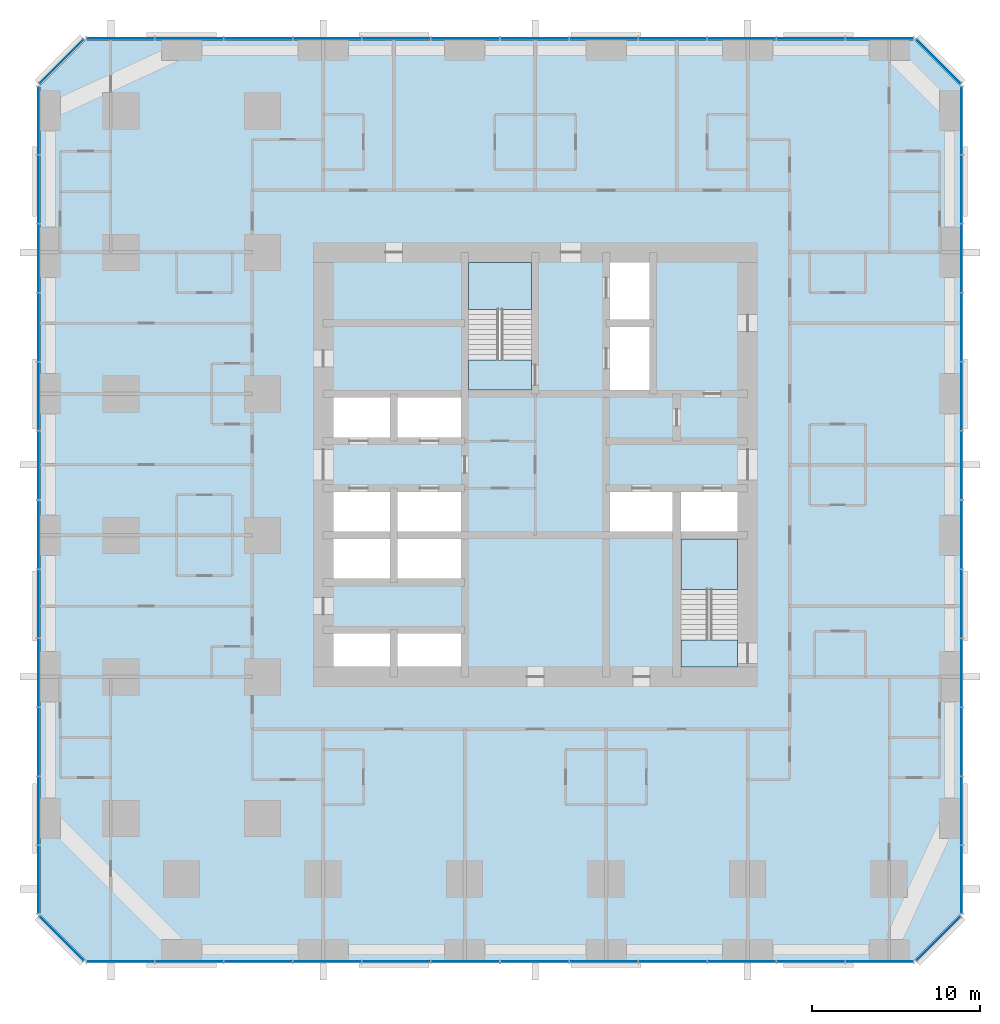
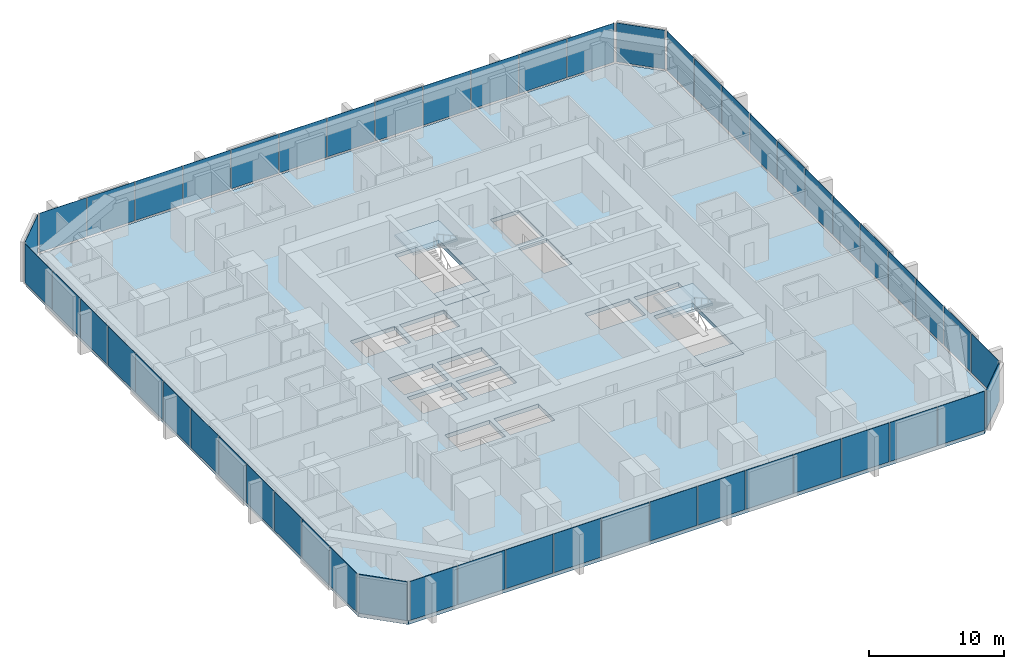
# One storey, part 7 of 13: 52 plates, 5 slabs, 10 elements without a shape of their own.
"""IFC4 building model written with IfcOpenShell, lengths in metres."""

from ifc_helpers import new_model, si_unit, direction, frame, origin, origin_2d, place, context, subcontext, project, spatial, polyline, rectangle, outline, extrude, material, layer, layer_set, type_object, element, aggregate, save


model = new_model("IFC4")

# Units and contexts
model_context = context("Model", 3, precision=1e-05, world=origin(), true_north=direction((0.0, 1.0)))
body_context = subcontext(model_context, "Body", "Model", "MODEL_VIEW")
ifc_project = project(units=[si_unit("LENGTHUNIT", "METRE"), si_unit("AREAUNIT", "SQUARE_METRE"), si_unit("VOLUMEUNIT", "CUBIC_METRE"), si_unit("PLANEANGLEUNIT", "RADIAN"), si_unit("MASSUNIT", "GRAM", prefix="KILO")], contexts=[model_context])

# Site, building, storey
site_placement = place(None, origin())
site = spatial("IfcSite", under=ifc_project, at=site_placement, CompositionType="ELEMENT")
building_placement = place(site_placement, origin())
building = spatial("IfcBuilding", under=site, at=building_placement, Name="Dunama Terrace Hotel", CompositionType="ELEMENT")
storey_placement = place(building_placement, frame((0.0, 0.0, 97.199951171875)))
storey = spatial("IfcBuildingStorey", under=building, at=storey_placement, Name="L24", CompositionType="ELEMENT", Elevation=97.199951171875)

# Curtain wall, plates
ifc_material_1 = material(Name="Aluminium curtain wall system", Category="aluminium")
curtain_wall_type = type_object("IfcCurtainWallType", Name="Unitised fritted glass wall CW-B", PredefinedType="NOTDEFINED", material=ifc_material_1)
curtain_wall_1_placement = place(storey_placement, origin())
curtain_wall_1 = element("IfcCurtainWall", 1, at=curtain_wall_1_placement, inside=storey, type_object=curtain_wall_type, Name="Unitised fritted glass wall CW-B L24", PredefinedType="NOTDEFINED")
ifc_material_2 = material(Name="Laminated glass", Category="glass")
ifc_layer_1 = layer(ifc_material_2, 0.030029296875)
ifc_layer_set_1 = layer_set([ifc_layer_1], Name="CWB clear glass panel")
plate_type_1 = type_object("IfcPlateType", Name="CWB clear glass panel", PredefinedType="CURTAIN_PANEL", material=ifc_layer_set_1)
plate_1_placement = place(storey_placement, frame((12.949951171875, -0.110107421875, 0.080078125), z_axis=(0.0, 0.0, 1.0), x_axis=(1.0, 0.0, 0.0)))
plate_1 = element("IfcPlate", 2, at=plate_1_placement, type_object=plate_type_1, Name="CWB clear glass panel", PredefinedType="CURTAIN_PANEL", context=body_context, shape_type="SweptSolid", body=[
    extrude(rectangle(XDim=4.034912109375, YDim=0.030029296875, at=origin_2d()), origin(), (0.0, 0.0, 1.0), 3.52001953125),
])
plate_2_placement = place(storey_placement, frame((25.25, -0.110107421875, 0.080078125), z_axis=(0.0, 0.0, 1.0), x_axis=(1.0, 0.0, 0.0)))
plate_2 = element("IfcPlate", 3, at=plate_2_placement, type_object=plate_type_1, Name="CWB clear glass panel", PredefinedType="CURTAIN_PANEL", context=body_context, shape_type="SweptSolid", body=[
    extrude(rectangle(XDim=4.034912109375, YDim=0.030029296875, at=origin_2d()), origin(), (0.0, 0.0, 1.0), 3.52001953125),
])
plate_3_placement = place(storey_placement, frame((37.550048828125, -0.110107421875, 0.080078125), z_axis=(0.0, 0.0, 1.0), x_axis=(1.0, 0.0, 0.0)))
plate_3 = element("IfcPlate", 4, at=plate_3_placement, type_object=plate_type_1, Name="CWB clear glass panel", PredefinedType="CURTAIN_PANEL", context=body_context, shape_type="SweptSolid", body=[
    extrude(rectangle(XDim=4.034912109375, YDim=0.030029296875, at=origin_2d()), origin(), (0.0, 0.0, 1.0), 3.52001953125),
])
plate_4_placement = place(storey_placement, frame((49.833984375, -0.110107421875, 0.080078125), z_axis=(0.0, 0.0, 1.0), x_axis=(1.0, 0.0, 0.0)))
plate_4 = element("IfcPlate", 5, at=plate_4_placement, type_object=plate_type_1, Name="CWB clear glass panel", PredefinedType="CURTAIN_PANEL", context=body_context, shape_type="SweptSolid", body=[
    extrude(rectangle(XDim=4.00244140625, YDim=0.030029296875, at=origin_2d()), origin(), (0.0, 0.0, 1.0), 3.52001953125),
])

curtain_wall_2_placement = place(storey_placement, origin())
curtain_wall_2 = element("IfcCurtainWall", 6, at=curtain_wall_2_placement, inside=storey, type_object=curtain_wall_type, Name="Unitised fritted glass wall CW-B L24", PredefinedType="NOTDEFINED")
plate_5_placement = place(storey_placement, frame((54.7099609375, 8.85009765625, 0.080078125), z_axis=(0.0, 0.0, 1.0), x_axis=(0.0, 1.0, 0.0)))
plate_5 = element("IfcPlate", 7, at=plate_5_placement, type_object=plate_type_1, Name="CWB clear glass panel", PredefinedType="CURTAIN_PANEL", context=body_context, shape_type="SweptSolid", body=[
    extrude(rectangle(XDim=4.034912109375, YDim=0.030029296875, at=origin_2d()), origin(), (0.0, 0.0, 1.0), 3.52001953125),
])
plate_6_placement = place(storey_placement, frame((54.7099609375, 21.14990234375, 0.080078125), z_axis=(0.0, 0.0, 1.0), x_axis=(0.0, 1.0, 0.0)))
plate_6 = element("IfcPlate", 8, at=plate_6_placement, type_object=plate_type_1, Name="CWB clear glass panel", PredefinedType="CURTAIN_PANEL", context=body_context, shape_type="SweptSolid", body=[
    extrude(rectangle(XDim=4.034912109375, YDim=0.030029296875, at=origin_2d()), origin(), (0.0, 0.0, 1.0), 3.52001953125),
])
plate_7_placement = place(storey_placement, frame((54.7099609375, 33.449951171875, 0.080078125), z_axis=(0.0, 0.0, 1.0), x_axis=(0.0, 1.0, 0.0)))
plate_7 = element("IfcPlate", 9, at=plate_7_placement, type_object=plate_type_1, Name="CWB clear glass panel", PredefinedType="CURTAIN_PANEL", context=body_context, shape_type="SweptSolid", body=[
    extrude(rectangle(XDim=4.034912109375, YDim=0.030029296875, at=origin_2d()), origin(), (0.0, 0.0, 1.0), 3.52001953125),
])
plate_8_placement = place(storey_placement, frame((54.7099609375, 45.75, 0.080078125), z_axis=(0.0, 0.0, 1.0), x_axis=(0.0, 1.0, 0.0)))
plate_8 = element("IfcPlate", 10, at=plate_8_placement, type_object=plate_type_1, Name="CWB clear glass panel", PredefinedType="CURTAIN_PANEL", context=body_context, shape_type="SweptSolid", body=[
    extrude(rectangle(XDim=4.034912109375, YDim=0.030029296875, at=origin_2d()), origin(), (0.0, 0.0, 1.0), 3.52001953125),
])

curtain_wall_3_placement = place(storey_placement, origin())
curtain_wall_3 = element("IfcCurtainWall", 11, at=curtain_wall_3_placement, inside=storey, type_object=curtain_wall_type, Name="Unitised fritted glass wall CW-B L24", PredefinedType="NOTDEFINED")
plate_9_placement = place(storey_placement, frame((49.833984375, 54.7099609375, 0.080078125), z_axis=(0.0, 0.0, 1.0), x_axis=(-1.0, 0.0, 0.0)))
plate_9 = element("IfcPlate", 12, at=plate_9_placement, type_object=plate_type_1, Name="CWB clear glass panel", PredefinedType="CURTAIN_PANEL", context=body_context, shape_type="SweptSolid", body=[
    extrude(rectangle(XDim=4.00244140625, YDim=0.030029296875, at=origin_2d()), origin(), (0.0, 0.0, 1.0), 3.52001953125),
])
plate_10_placement = place(storey_placement, frame((37.550048828125, 54.7099609375, 0.080078125), z_axis=(0.0, 0.0, 1.0), x_axis=(-1.0, 0.0, 0.0)))
plate_10 = element("IfcPlate", 13, at=plate_10_placement, type_object=plate_type_1, Name="CWB clear glass panel", PredefinedType="CURTAIN_PANEL", context=body_context, shape_type="SweptSolid", body=[
    extrude(rectangle(XDim=4.034912109375, YDim=0.030029296875, at=origin_2d()), origin(), (0.0, 0.0, 1.0), 3.52001953125),
])
plate_11_placement = place(storey_placement, frame((25.25, 54.7099609375, 0.080078125), z_axis=(0.0, 0.0, 1.0), x_axis=(-1.0, 0.0, 0.0)))
plate_11 = element("IfcPlate", 14, at=plate_11_placement, type_object=plate_type_1, Name="CWB clear glass panel", PredefinedType="CURTAIN_PANEL", context=body_context, shape_type="SweptSolid", body=[
    extrude(rectangle(XDim=4.034912109375, YDim=0.030029296875, at=origin_2d()), origin(), (0.0, 0.0, 1.0), 3.52001953125),
])
plate_12_placement = place(storey_placement, frame((12.949951171875, 54.7099609375, 0.080078125), z_axis=(0.0, 0.0, 1.0), x_axis=(-1.0, 0.0, 0.0)))
plate_12 = element("IfcPlate", 15, at=plate_12_placement, type_object=plate_type_1, Name="CWB clear glass panel", PredefinedType="CURTAIN_PANEL", context=body_context, shape_type="SweptSolid", body=[
    extrude(rectangle(XDim=4.034912109375, YDim=0.030029296875, at=origin_2d()), origin(), (0.0, 0.0, 1.0), 3.52001953125),
])

# Curtain wall, plate
curtain_wall_4_placement = place(storey_placement, origin())
curtain_wall_4 = element("IfcCurtainWall", 16, at=curtain_wall_4_placement, inside=storey, type_object=curtain_wall_type, Name="Unitised fritted glass wall CW-B L24", PredefinedType="NOTDEFINED")
plate_13_placement = place(storey_placement, frame((1.27197265625, 53.327880859375, 0.080078125), z_axis=(0.0, 0.0, 1.0), x_axis=(-0.707106781187, -0.707106781187, 0.0)))
plate_13 = element("IfcPlate", 17, at=plate_13_placement, type_object=plate_type_1, Name="CWB clear glass panel", PredefinedType="CURTAIN_PANEL", context=body_context, shape_type="SweptSolid", body=[
    extrude(rectangle(XDim=3.6884765625, YDim=0.030029296875, at=origin_2d()), origin(), (0.0, 0.0, 1.0), 3.52001953125),
])
aggregate(curtain_wall_4, [plate_13])

# Curtain wall, plates
curtain_wall_5_placement = place(storey_placement, origin())
curtain_wall_5 = element("IfcCurtainWall", 18, at=curtain_wall_5_placement, inside=storey, type_object=curtain_wall_type, Name="Unitised fritted glass wall CW-B L24", PredefinedType="NOTDEFINED")
plate_14_placement = place(storey_placement, frame((-0.110107421875, 41.64990234375, 0.080078125), z_axis=(0.0, 0.0, 1.0), x_axis=(0.0, -1.0, 0.0)))
plate_14 = element("IfcPlate", 19, at=plate_14_placement, type_object=plate_type_1, Name="CWB clear glass panel", PredefinedType="CURTAIN_PANEL", context=body_context, shape_type="SweptSolid", body=[
    extrude(rectangle(XDim=4.034912109375, YDim=0.030029296875, at=origin_2d()), origin(), (0.0, 0.0, 1.0), 3.52001953125),
])
plate_15_placement = place(storey_placement, frame((-0.110107421875, 29.35009765625, 0.080078125), z_axis=(0.0, 0.0, 1.0), x_axis=(0.0, -1.0, 0.0)))
plate_15 = element("IfcPlate", 20, at=plate_15_placement, type_object=plate_type_1, Name="CWB clear glass panel", PredefinedType="CURTAIN_PANEL", context=body_context, shape_type="SweptSolid", body=[
    extrude(rectangle(XDim=4.034912109375, YDim=0.030029296875, at=origin_2d()), origin(), (0.0, 0.0, 1.0), 3.52001953125),
])
plate_16_placement = place(storey_placement, frame((-0.110107421875, 17.050048828125, 0.080078125), z_axis=(0.0, 0.0, 1.0), x_axis=(0.0, -1.0, 0.0)))
plate_16 = element("IfcPlate", 21, at=plate_16_placement, type_object=plate_type_1, Name="CWB clear glass panel", PredefinedType="CURTAIN_PANEL", context=body_context, shape_type="SweptSolid", body=[
    extrude(rectangle(XDim=4.034912109375, YDim=0.030029296875, at=origin_2d()), origin(), (0.0, 0.0, 1.0), 3.52001953125),
])
plate_17_placement = place(storey_placement, frame((-0.110107421875, 4.76611328125, 0.080078125), z_axis=(0.0, 0.0, 1.0), x_axis=(0.0, -1.0, 0.0)))
plate_17 = element("IfcPlate", 22, at=plate_17_placement, type_object=plate_type_1, Name="CWB clear glass panel", PredefinedType="CURTAIN_PANEL", context=body_context, shape_type="SweptSolid", body=[
    extrude(rectangle(XDim=4.00244140625, YDim=0.030029296875, at=origin_2d()), origin(), (0.0, 0.0, 1.0), 3.52001953125),
])

# Plate
ifc_material_3 = material(Name="Fritted laminated glass", Category="glass")
ifc_layer_2 = layer(ifc_material_3, 0.030029296875)
ifc_layer_set_2 = layer_set([ifc_layer_2], Name="CWB fritted glass panel")
plate_type_2 = type_object("IfcPlateType", Name="CWB fritted glass panel", PredefinedType="CURTAIN_PANEL", material=ifc_layer_set_2)
plate_18_placement = place(storey_placement, frame((8.85009765625, -0.110107421875, 0.080078125), z_axis=(0.0, 0.0, 1.0), x_axis=(1.0, 0.0, 0.0)))
plate_18 = element("IfcPlate", 23, at=plate_18_placement, type_object=plate_type_2, Name="CWB fritted glass panel", PredefinedType="CURTAIN_PANEL", context=body_context, shape_type="SweptSolid", body=[
    extrude(rectangle(XDim=4.034912109375, YDim=0.030029296875, at=origin_2d()), origin(), (0.0, 0.0, 1.0), 3.52001953125),
])

plate_19_placement = place(storey_placement, frame((21.14990234375, -0.110107421875, 0.080078125), z_axis=(0.0, 0.0, 1.0), x_axis=(1.0, 0.0, 0.0)))
plate_19 = element("IfcPlate", 24, at=plate_19_placement, type_object=plate_type_2, Name="CWB fritted glass panel", PredefinedType="CURTAIN_PANEL", context=body_context, shape_type="SweptSolid", body=[
    extrude(rectangle(XDim=4.034912109375, YDim=0.030029296875, at=origin_2d()), origin(), (0.0, 0.0, 1.0), 3.52001953125),
])

plate_20_placement = place(storey_placement, frame((33.449951171875, -0.110107421875, 0.080078125), z_axis=(0.0, 0.0, 1.0), x_axis=(1.0, 0.0, 0.0)))
plate_20 = element("IfcPlate", 25, at=plate_20_placement, type_object=plate_type_2, Name="CWB fritted glass panel", PredefinedType="CURTAIN_PANEL", context=body_context, shape_type="SweptSolid", body=[
    extrude(rectangle(XDim=4.034912109375, YDim=0.030029296875, at=origin_2d()), origin(), (0.0, 0.0, 1.0), 3.52001953125),
])

plate_21_placement = place(storey_placement, frame((45.75, -0.110107421875, 0.080078125), z_axis=(0.0, 0.0, 1.0), x_axis=(1.0, 0.0, 0.0)))
plate_21 = element("IfcPlate", 26, at=plate_21_placement, type_object=plate_type_2, Name="CWB fritted glass panel", PredefinedType="CURTAIN_PANEL", context=body_context, shape_type="SweptSolid", body=[
    extrude(rectangle(XDim=4.034912109375, YDim=0.030029296875, at=origin_2d()), origin(), (0.0, 0.0, 1.0), 3.52001953125),
])

plate_22_placement = place(storey_placement, frame((54.7099609375, 4.76611328125, 0.080078125), z_axis=(0.0, 0.0, 1.0), x_axis=(0.0, 1.0, 0.0)))
plate_22 = element("IfcPlate", 27, at=plate_22_placement, type_object=plate_type_2, Name="CWB fritted glass panel", PredefinedType="CURTAIN_PANEL", context=body_context, shape_type="SweptSolid", body=[
    extrude(rectangle(XDim=4.00244140625, YDim=0.030029296875, at=origin_2d()), origin(), (0.0, 0.0, 1.0), 3.52001953125),
])

plate_23_placement = place(storey_placement, frame((54.7099609375, 17.050048828125, 0.080078125), z_axis=(0.0, 0.0, 1.0), x_axis=(0.0, 1.0, 0.0)))
plate_23 = element("IfcPlate", 28, at=plate_23_placement, type_object=plate_type_2, Name="CWB fritted glass panel", PredefinedType="CURTAIN_PANEL", context=body_context, shape_type="SweptSolid", body=[
    extrude(rectangle(XDim=4.034912109375, YDim=0.030029296875, at=origin_2d()), origin(), (0.0, 0.0, 1.0), 3.52001953125),
])

plate_24_placement = place(storey_placement, frame((54.7099609375, 29.35009765625, 0.080078125), z_axis=(0.0, 0.0, 1.0), x_axis=(0.0, 1.0, 0.0)))
plate_24 = element("IfcPlate", 29, at=plate_24_placement, type_object=plate_type_2, Name="CWB fritted glass panel", PredefinedType="CURTAIN_PANEL", context=body_context, shape_type="SweptSolid", body=[
    extrude(rectangle(XDim=4.034912109375, YDim=0.030029296875, at=origin_2d()), origin(), (0.0, 0.0, 1.0), 3.52001953125),
])

plate_25_placement = place(storey_placement, frame((54.7099609375, 41.64990234375, 0.080078125), z_axis=(0.0, 0.0, 1.0), x_axis=(0.0, 1.0, 0.0)))
plate_25 = element("IfcPlate", 30, at=plate_25_placement, type_object=plate_type_2, Name="CWB fritted glass panel", PredefinedType="CURTAIN_PANEL", context=body_context, shape_type="SweptSolid", body=[
    extrude(rectangle(XDim=4.034912109375, YDim=0.030029296875, at=origin_2d()), origin(), (0.0, 0.0, 1.0), 3.52001953125),
])

# Curtain wall, plate
curtain_wall_6_placement = place(storey_placement, origin())
curtain_wall_6 = element("IfcCurtainWall", 31, at=curtain_wall_6_placement, inside=storey, type_object=curtain_wall_type, Name="Unitised fritted glass wall CW-B L24", PredefinedType="NOTDEFINED")
plate_26_placement = place(storey_placement, frame((53.327880859375, 53.327880859375, 0.080078125), z_axis=(0.0, 0.0, 1.0), x_axis=(-0.707106781187, 0.707106781187, 0.0)))
plate_26 = element("IfcPlate", 32, at=plate_26_placement, type_object=plate_type_2, Name="CWB fritted glass panel", PredefinedType="CURTAIN_PANEL", context=body_context, shape_type="SweptSolid", body=[
    extrude(rectangle(XDim=3.6884765625, YDim=0.030029296875, at=origin_2d()), origin(), (0.0, 0.0, 1.0), 3.52001953125),
])
aggregate(curtain_wall_6, [plate_26])

# Plate
plate_27_placement = place(storey_placement, frame((41.64990234375, 54.7099609375, 0.080078125), z_axis=(0.0, 0.0, 1.0), x_axis=(-1.0, 0.0, 0.0)))
plate_27 = element("IfcPlate", 33, at=plate_27_placement, type_object=plate_type_2, Name="CWB fritted glass panel", PredefinedType="CURTAIN_PANEL", context=body_context, shape_type="SweptSolid", body=[
    extrude(rectangle(XDim=4.034912109375, YDim=0.030029296875, at=origin_2d()), origin(), (0.0, 0.0, 1.0), 3.52001953125),
])

plate_28_placement = place(storey_placement, frame((29.35009765625, 54.7099609375, 0.080078125), z_axis=(0.0, 0.0, 1.0), x_axis=(-1.0, 0.0, 0.0)))
plate_28 = element("IfcPlate", 34, at=plate_28_placement, type_object=plate_type_2, Name="CWB fritted glass panel", PredefinedType="CURTAIN_PANEL", context=body_context, shape_type="SweptSolid", body=[
    extrude(rectangle(XDim=4.034912109375, YDim=0.030029296875, at=origin_2d()), origin(), (0.0, 0.0, 1.0), 3.52001953125),
])

plate_29_placement = place(storey_placement, frame((17.050048828125, 54.7099609375, 0.080078125), z_axis=(0.0, 0.0, 1.0), x_axis=(-1.0, 0.0, 0.0)))
plate_29 = element("IfcPlate", 35, at=plate_29_placement, type_object=plate_type_2, Name="CWB fritted glass panel", PredefinedType="CURTAIN_PANEL", context=body_context, shape_type="SweptSolid", body=[
    extrude(rectangle(XDim=4.034912109375, YDim=0.030029296875, at=origin_2d()), origin(), (0.0, 0.0, 1.0), 3.52001953125),
])

plate_30_placement = place(storey_placement, frame((4.76611328125, 54.7099609375, 0.080078125), z_axis=(0.0, 0.0, 1.0), x_axis=(-1.0, 0.0, 0.0)))
plate_30 = element("IfcPlate", 36, at=plate_30_placement, type_object=plate_type_2, Name="CWB fritted glass panel", PredefinedType="CURTAIN_PANEL", context=body_context, shape_type="SweptSolid", body=[
    extrude(rectangle(XDim=4.00244140625, YDim=0.030029296875, at=origin_2d()), origin(), (0.0, 0.0, 1.0), 3.52001953125),
])

plate_31_placement = place(storey_placement, frame((-0.110107421875, 45.75, 0.080078125), z_axis=(0.0, 0.0, 1.0), x_axis=(0.0, -1.0, 0.0)))
plate_31 = element("IfcPlate", 37, at=plate_31_placement, type_object=plate_type_2, Name="CWB fritted glass panel", PredefinedType="CURTAIN_PANEL", context=body_context, shape_type="SweptSolid", body=[
    extrude(rectangle(XDim=4.034912109375, YDim=0.030029296875, at=origin_2d()), origin(), (0.0, 0.0, 1.0), 3.52001953125),
])

plate_32_placement = place(storey_placement, frame((-0.110107421875, 33.449951171875, 0.080078125), z_axis=(0.0, 0.0, 1.0), x_axis=(0.0, -1.0, 0.0)))
plate_32 = element("IfcPlate", 38, at=plate_32_placement, type_object=plate_type_2, Name="CWB fritted glass panel", PredefinedType="CURTAIN_PANEL", context=body_context, shape_type="SweptSolid", body=[
    extrude(rectangle(XDim=4.034912109375, YDim=0.030029296875, at=origin_2d()), origin(), (0.0, 0.0, 1.0), 3.52001953125),
])

plate_33_placement = place(storey_placement, frame((-0.110107421875, 21.14990234375, 0.080078125), z_axis=(0.0, 0.0, 1.0), x_axis=(0.0, -1.0, 0.0)))
plate_33 = element("IfcPlate", 39, at=plate_33_placement, type_object=plate_type_2, Name="CWB fritted glass panel", PredefinedType="CURTAIN_PANEL", context=body_context, shape_type="SweptSolid", body=[
    extrude(rectangle(XDim=4.034912109375, YDim=0.030029296875, at=origin_2d()), origin(), (0.0, 0.0, 1.0), 3.52001953125),
])

plate_34_placement = place(storey_placement, frame((-0.110107421875, 8.85009765625, 0.080078125), z_axis=(0.0, 0.0, 1.0), x_axis=(0.0, -1.0, 0.0)))
plate_34 = element("IfcPlate", 40, at=plate_34_placement, type_object=plate_type_2, Name="CWB fritted glass panel", PredefinedType="CURTAIN_PANEL", context=body_context, shape_type="SweptSolid", body=[
    extrude(rectangle(XDim=4.034912109375, YDim=0.030029296875, at=origin_2d()), origin(), (0.0, 0.0, 1.0), 3.52001953125),
])

ifc_material_4 = material(Name="Laminated glass", Category="glass")
ifc_layer_3 = layer(ifc_material_4, 0.030029296875)
ifc_layer_set_3 = layer_set([ifc_layer_3], Name="CWB operable glass panel")
plate_type_3 = type_object("IfcPlateType", Name="CWB operable glass panel", PredefinedType="CURTAIN_PANEL", material=ifc_layer_set_3)
plate_35_placement = place(storey_placement, frame((4.76611328125, -0.110107421875, 0.080078125), z_axis=(0.0, 0.0, 1.0), x_axis=(1.0, 0.0, 0.0)))
plate_35 = element("IfcPlate", 41, at=plate_35_placement, type_object=plate_type_3, Name="CWB operable glass panel", PredefinedType="CURTAIN_PANEL", context=body_context, shape_type="SweptSolid", body=[
    extrude(rectangle(XDim=4.00244140625, YDim=0.030029296875, at=origin_2d()), origin(), (0.0, 0.0, 1.0), 3.52001953125),
])

plate_36_placement = place(storey_placement, frame((17.050048828125, -0.110107421875, 0.080078125), z_axis=(0.0, 0.0, 1.0), x_axis=(1.0, 0.0, 0.0)))
plate_36 = element("IfcPlate", 42, at=plate_36_placement, type_object=plate_type_3, Name="CWB operable glass panel", PredefinedType="CURTAIN_PANEL", context=body_context, shape_type="SweptSolid", body=[
    extrude(rectangle(XDim=4.034912109375, YDim=0.030029296875, at=origin_2d()), origin(), (0.0, 0.0, 1.0), 3.52001953125),
])

plate_37_placement = place(storey_placement, frame((29.35009765625, -0.110107421875, 0.080078125), z_axis=(0.0, 0.0, 1.0), x_axis=(1.0, 0.0, 0.0)))
plate_37 = element("IfcPlate", 43, at=plate_37_placement, type_object=plate_type_3, Name="CWB operable glass panel", PredefinedType="CURTAIN_PANEL", context=body_context, shape_type="SweptSolid", body=[
    extrude(rectangle(XDim=4.034912109375, YDim=0.030029296875, at=origin_2d()), origin(), (0.0, 0.0, 1.0), 3.52001953125),
])

plate_38_placement = place(storey_placement, frame((41.64990234375, -0.110107421875, 0.080078125), z_axis=(0.0, 0.0, 1.0), x_axis=(1.0, 0.0, 0.0)))
plate_38 = element("IfcPlate", 44, at=plate_38_placement, type_object=plate_type_3, Name="CWB operable glass panel", PredefinedType="CURTAIN_PANEL", context=body_context, shape_type="SweptSolid", body=[
    extrude(rectangle(XDim=4.034912109375, YDim=0.030029296875, at=origin_2d()), origin(), (0.0, 0.0, 1.0), 3.52001953125),
])

aggregate(curtain_wall_1, [plate_35, plate_18, plate_1, plate_36, plate_19, plate_2, plate_37, plate_20, plate_3, plate_38, plate_21, plate_4])

# Curtain wall, plate
curtain_wall_7_placement = place(storey_placement, origin())
curtain_wall_7 = element("IfcCurtainWall", 45, at=curtain_wall_7_placement, inside=storey, type_object=curtain_wall_type, Name="Unitised fritted glass wall CW-B L24", PredefinedType="NOTDEFINED")
plate_39_placement = place(storey_placement, frame((53.327880859375, 1.27197265625, 0.080078125), z_axis=(0.0, 0.0, 1.0), x_axis=(0.707106781187, 0.707106781187, 0.0)))
plate_39 = element("IfcPlate", 46, at=plate_39_placement, type_object=plate_type_3, Name="CWB operable glass panel", PredefinedType="CURTAIN_PANEL", context=body_context, shape_type="SweptSolid", body=[
    extrude(rectangle(XDim=3.6884765625, YDim=0.030029296875, at=origin_2d()), origin(), (0.0, 0.0, 1.0), 3.52001953125),
])
aggregate(curtain_wall_7, [plate_39])

# Plate
plate_40_placement = place(storey_placement, frame((54.7099609375, 12.949951171875, 0.080078125), z_axis=(0.0, 0.0, 1.0), x_axis=(0.0, 1.0, 0.0)))
plate_40 = element("IfcPlate", 47, at=plate_40_placement, type_object=plate_type_3, Name="CWB operable glass panel", PredefinedType="CURTAIN_PANEL", context=body_context, shape_type="SweptSolid", body=[
    extrude(rectangle(XDim=4.034912109375, YDim=0.030029296875, at=origin_2d()), origin(), (0.0, 0.0, 1.0), 3.52001953125),
])

plate_41_placement = place(storey_placement, frame((54.7099609375, 25.25, 0.080078125), z_axis=(0.0, 0.0, 1.0), x_axis=(0.0, 1.0, 0.0)))
plate_41 = element("IfcPlate", 48, at=plate_41_placement, type_object=plate_type_3, Name="CWB operable glass panel", PredefinedType="CURTAIN_PANEL", context=body_context, shape_type="SweptSolid", body=[
    extrude(rectangle(XDim=4.034912109375, YDim=0.030029296875, at=origin_2d()), origin(), (0.0, 0.0, 1.0), 3.52001953125),
])

plate_42_placement = place(storey_placement, frame((54.7099609375, 37.550048828125, 0.080078125), z_axis=(0.0, 0.0, 1.0), x_axis=(0.0, 1.0, 0.0)))
plate_42 = element("IfcPlate", 49, at=plate_42_placement, type_object=plate_type_3, Name="CWB operable glass panel", PredefinedType="CURTAIN_PANEL", context=body_context, shape_type="SweptSolid", body=[
    extrude(rectangle(XDim=4.034912109375, YDim=0.030029296875, at=origin_2d()), origin(), (0.0, 0.0, 1.0), 3.52001953125),
])

plate_43_placement = place(storey_placement, frame((54.7099609375, 49.833984375, 0.080078125), z_axis=(0.0, 0.0, 1.0), x_axis=(0.0, 1.0, 0.0)))
plate_43 = element("IfcPlate", 50, at=plate_43_placement, type_object=plate_type_3, Name="CWB operable glass panel", PredefinedType="CURTAIN_PANEL", context=body_context, shape_type="SweptSolid", body=[
    extrude(rectangle(XDim=4.00244140625, YDim=0.030029296875, at=origin_2d()), origin(), (0.0, 0.0, 1.0), 3.52001953125),
])

aggregate(curtain_wall_2, [plate_22, plate_5, plate_40, plate_23, plate_6, plate_41, plate_24, plate_7, plate_42, plate_25, plate_8, plate_43])

plate_44_placement = place(storey_placement, frame((45.75, 54.7099609375, 0.080078125), z_axis=(0.0, 0.0, 1.0), x_axis=(-1.0, 0.0, 0.0)))
plate_44 = element("IfcPlate", 51, at=plate_44_placement, type_object=plate_type_3, Name="CWB operable glass panel", PredefinedType="CURTAIN_PANEL", context=body_context, shape_type="SweptSolid", body=[
    extrude(rectangle(XDim=4.034912109375, YDim=0.030029296875, at=origin_2d()), origin(), (0.0, 0.0, 1.0), 3.52001953125),
])

plate_45_placement = place(storey_placement, frame((33.449951171875, 54.7099609375, 0.080078125), z_axis=(0.0, 0.0, 1.0), x_axis=(-1.0, 0.0, 0.0)))
plate_45 = element("IfcPlate", 52, at=plate_45_placement, type_object=plate_type_3, Name="CWB operable glass panel", PredefinedType="CURTAIN_PANEL", context=body_context, shape_type="SweptSolid", body=[
    extrude(rectangle(XDim=4.034912109375, YDim=0.030029296875, at=origin_2d()), origin(), (0.0, 0.0, 1.0), 3.52001953125),
])

plate_46_placement = place(storey_placement, frame((21.14990234375, 54.7099609375, 0.080078125), z_axis=(0.0, 0.0, 1.0), x_axis=(-1.0, 0.0, 0.0)))
plate_46 = element("IfcPlate", 53, at=plate_46_placement, type_object=plate_type_3, Name="CWB operable glass panel", PredefinedType="CURTAIN_PANEL", context=body_context, shape_type="SweptSolid", body=[
    extrude(rectangle(XDim=4.034912109375, YDim=0.030029296875, at=origin_2d()), origin(), (0.0, 0.0, 1.0), 3.52001953125),
])

plate_47_placement = place(storey_placement, frame((8.85009765625, 54.7099609375, 0.080078125), z_axis=(0.0, 0.0, 1.0), x_axis=(-1.0, 0.0, 0.0)))
plate_47 = element("IfcPlate", 54, at=plate_47_placement, type_object=plate_type_3, Name="CWB operable glass panel", PredefinedType="CURTAIN_PANEL", context=body_context, shape_type="SweptSolid", body=[
    extrude(rectangle(XDim=4.034912109375, YDim=0.030029296875, at=origin_2d()), origin(), (0.0, 0.0, 1.0), 3.52001953125),
])

aggregate(curtain_wall_3, [plate_9, plate_44, plate_27, plate_10, plate_45, plate_28, plate_11, plate_46, plate_29, plate_12, plate_47, plate_30])

plate_48_placement = place(storey_placement, frame((-0.110107421875, 49.833984375, 0.080078125), z_axis=(0.0, 0.0, 1.0), x_axis=(0.0, -1.0, 0.0)))
plate_48 = element("IfcPlate", 55, at=plate_48_placement, type_object=plate_type_3, Name="CWB operable glass panel", PredefinedType="CURTAIN_PANEL", context=body_context, shape_type="SweptSolid", body=[
    extrude(rectangle(XDim=4.00244140625, YDim=0.030029296875, at=origin_2d()), origin(), (0.0, 0.0, 1.0), 3.52001953125),
])

plate_49_placement = place(storey_placement, frame((-0.110107421875, 37.550048828125, 0.080078125), z_axis=(0.0, 0.0, 1.0), x_axis=(0.0, -1.0, 0.0)))
plate_49 = element("IfcPlate", 56, at=plate_49_placement, type_object=plate_type_3, Name="CWB operable glass panel", PredefinedType="CURTAIN_PANEL", context=body_context, shape_type="SweptSolid", body=[
    extrude(rectangle(XDim=4.034912109375, YDim=0.030029296875, at=origin_2d()), origin(), (0.0, 0.0, 1.0), 3.52001953125),
])

plate_50_placement = place(storey_placement, frame((-0.110107421875, 25.25, 0.080078125), z_axis=(0.0, 0.0, 1.0), x_axis=(0.0, -1.0, 0.0)))
plate_50 = element("IfcPlate", 57, at=plate_50_placement, type_object=plate_type_3, Name="CWB operable glass panel", PredefinedType="CURTAIN_PANEL", context=body_context, shape_type="SweptSolid", body=[
    extrude(rectangle(XDim=4.034912109375, YDim=0.030029296875, at=origin_2d()), origin(), (0.0, 0.0, 1.0), 3.52001953125),
])

plate_51_placement = place(storey_placement, frame((-0.110107421875, 12.949951171875, 0.080078125), z_axis=(0.0, 0.0, 1.0), x_axis=(0.0, -1.0, 0.0)))
plate_51 = element("IfcPlate", 58, at=plate_51_placement, type_object=plate_type_3, Name="CWB operable glass panel", PredefinedType="CURTAIN_PANEL", context=body_context, shape_type="SweptSolid", body=[
    extrude(rectangle(XDim=4.034912109375, YDim=0.030029296875, at=origin_2d()), origin(), (0.0, 0.0, 1.0), 3.52001953125),
])

aggregate(curtain_wall_5, [plate_48, plate_31, plate_14, plate_49, plate_32, plate_15, plate_50, plate_33, plate_16, plate_51, plate_34, plate_17])

# Curtain wall, plate
curtain_wall_8_placement = place(storey_placement, origin())
curtain_wall_8 = element("IfcCurtainWall", 59, at=curtain_wall_8_placement, inside=storey, type_object=curtain_wall_type, Name="Unitised fritted glass wall CW-B L24", PredefinedType="NOTDEFINED")
plate_52_placement = place(storey_placement, frame((1.27197265625, 1.27197265625, 0.080078125), z_axis=(0.0, 0.0, 1.0), x_axis=(0.707106781187, -0.707106781187, 0.0)))
plate_52 = element("IfcPlate", 60, at=plate_52_placement, type_object=plate_type_3, Name="CWB operable glass panel", PredefinedType="CURTAIN_PANEL", context=body_context, shape_type="SweptSolid", body=[
    extrude(rectangle(XDim=3.6884765625, YDim=0.030029296875, at=origin_2d()), origin(), (0.0, 0.0, 1.0), 3.52001953125),
])
aggregate(curtain_wall_8, [plate_52])

# Slab
ifc_material_5 = material(Name="Concrete C40/50", Category="concrete")
ifc_layer_4 = layer(ifc_material_5, 0.35009765625)
ifc_layer_set_4 = layer_set([ifc_layer_4], Name="Flat plate 350")
slab_type_1 = type_object("IfcSlabType", Name="Flat plate 350", PredefinedType="FLOOR", material=ifc_layer_set_4)
slab_1_placement = place(storey_placement, frame((0.0, 0.0, -0.349853515625)))
element("IfcSlab", 61, at=slab_1_placement, inside=storey, type_object=slab_type_1, Name="Floor slab L24", PredefinedType="FLOOR", context=body_context, shape_type="SweptSolid", body=[
    extrude(outline(polyline([(2.699951171875, 0.0), (51.89990234375, 0.0), (54.60009765625, 2.699951171875), (54.60009765625, 51.89990234375), (51.89990234375, 54.60009765625), (2.699951171875, 54.60009765625), (0.0, 51.89990234375), (0.0, 2.699951171875), (2.699951171875, 0.0)]), holes=[polyline([(37.60009765625, 25.39990234375), (37.60009765625, 27.800048828125), (33.800048828125, 27.800048828125), (33.800048828125, 25.39990234375), (37.60009765625, 25.39990234375)]), polyline([(41.800048828125, 25.39990234375), (41.800048828125, 27.800048828125), (38.0, 27.800048828125), (38.0, 25.39990234375), (41.800048828125, 25.39990234375)]), polyline([(20.800048828125, 17.0), (20.800048828125, 19.39990234375), (17.0, 19.39990234375), (17.0, 17.0), (20.800048828125, 17.0)]), polyline([(25.0, 17.0), (25.0, 19.39990234375), (21.199951171875, 19.39990234375), (21.199951171875, 17.0), (25.0, 17.0)]), polyline([(20.800048828125, 22.60009765625), (20.800048828125, 25.0), (17.0, 25.0), (17.0, 22.60009765625), (20.800048828125, 22.60009765625)]), polyline([(25.0, 22.60009765625), (25.0, 25.0), (21.199951171875, 25.0), (21.199951171875, 22.60009765625), (25.0, 22.60009765625)]), polyline([(20.800048828125, 25.39990234375), (20.800048828125, 27.800048828125), (17.0, 27.800048828125), (17.0, 25.39990234375), (20.800048828125, 25.39990234375)]), polyline([(25.0, 25.39990234375), (25.0, 27.800048828125), (21.199951171875, 27.800048828125), (21.199951171875, 25.39990234375), (25.0, 25.39990234375)]), polyline([(20.800048828125, 31.0), (20.800048828125, 33.39990234375), (17.0, 33.39990234375), (17.0, 31.0), (20.800048828125, 31.0)]), polyline([(25.0, 31.0), (25.0, 33.39990234375), (21.199951171875, 33.39990234375), (21.199951171875, 31.0), (25.0, 31.0)]), polyline([(36.199951171875, 38.0), (36.199951171875, 41.800048828125), (33.800048828125, 41.800048828125), (33.800048828125, 38.0), (36.199951171875, 38.0)]), polyline([(36.199951171875, 33.800048828125), (36.199951171875, 37.60009765625), (33.800048828125, 37.60009765625), (33.800048828125, 33.800048828125), (36.199951171875, 33.800048828125)]), polyline([(29.175048828125, 33.824951171875), (29.175048828125, 41.39990234375), (25.425048828125, 41.39990234375), (25.425048828125, 33.824951171875), (29.175048828125, 33.824951171875)]), polyline([(41.39990234375, 17.39990234375), (41.39990234375, 24.97509765625), (38.050048828125, 24.97509765625), (38.050048828125, 17.39990234375), (41.39990234375, 17.39990234375)])]), origin(), (0.0, 0.0, 1.0), 0.349853515625),
])

# Stair, slabs
ifc_material_6 = material(Name="Concrete C40/50", Category="concrete")
stair_type_1 = type_object("IfcStairType", Name="Stair ST1-3600-1800", PredefinedType="HALF_TURN_STAIR", material=ifc_material_6)
stair_1_placement = place(storey_placement, origin())
stair_1 = element("IfcStair", 62, at=stair_1_placement, inside=storey, type_object=stair_type_1, Name="Stair ST1 L24", PredefinedType="HALF_TURN_STAIR")
ifc_material_7 = material(Name="Concrete C40/50", Category="concrete")
ifc_layer_5 = layer(ifc_material_7, 0.199951171875)
ifc_layer_set_5 = layer_set([ifc_layer_5], Name="Stair landing 200")
slab_type_2 = type_object("IfcSlabType", Name="Stair landing 200", PredefinedType="LANDING", material=ifc_layer_set_5)
slab_2_placement = place(storey_placement, frame((0.0, 0.0, -0.199951171875)))
slab_2 = element("IfcSlab", 63, at=slab_2_placement, type_object=slab_type_2, Name="ST1 landing 1, type S10", PredefinedType="LANDING", context=body_context, shape_type="SweptSolid", body=[
    extrude(outline(polyline([(25.425048828125, 33.824951171875), (29.175048828125, 33.824951171875), (29.175048828125, 35.625), (25.425048828125, 35.625), (25.425048828125, 33.824951171875)])), origin(), (0.0, 0.0, 1.0), 0.199951171875),
])
slab_3_placement = place(storey_placement, frame((0.0, 0.0, 1.60009765625)))
slab_3 = element("IfcSlab", 64, at=slab_3_placement, type_object=slab_type_2, Name="ST1 landing 2, type S10", PredefinedType="LANDING", context=body_context, shape_type="SweptSolid", body=[
    extrude(outline(polyline([(25.425048828125, 38.625), (29.175048828125, 38.625), (29.175048828125, 41.39990234375), (25.425048828125, 41.39990234375), (25.425048828125, 38.625)])), origin(), (0.0, 0.0, 1.0), 0.199951171875),
])
aggregate(stair_1, [slab_2, slab_3])

ifc_material_8 = material(Name="Concrete C40/50", Category="concrete")
stair_type_2 = type_object("IfcStairType", Name="Stair ST2-3600-1600", PredefinedType="HALF_TURN_STAIR", material=ifc_material_8)
stair_2_placement = place(storey_placement, origin())
stair_2 = element("IfcStair", 65, at=stair_2_placement, inside=storey, type_object=stair_type_2, Name="Stair ST2 L24", PredefinedType="HALF_TURN_STAIR")
slab_4_placement = place(storey_placement, frame((0.0, 0.0, -0.199951171875)))
slab_4 = element("IfcSlab", 66, at=slab_4_placement, type_object=slab_type_2, Name="ST2 landing 1, type S10", PredefinedType="LANDING", context=body_context, shape_type="SweptSolid", body=[
    extrude(outline(polyline([(38.050048828125, 17.39990234375), (41.39990234375, 17.39990234375), (41.39990234375, 19.0), (38.050048828125, 19.0), (38.050048828125, 17.39990234375)])), origin(), (0.0, 0.0, 1.0), 0.199951171875),
])
slab_5_placement = place(storey_placement, frame((0.0, 0.0, 1.60009765625)))
slab_5 = element("IfcSlab", 67, at=slab_5_placement, type_object=slab_type_2, Name="ST2 landing 2, type S10", PredefinedType="LANDING", context=body_context, shape_type="SweptSolid", body=[
    extrude(outline(polyline([(38.050048828125, 22.0), (41.39990234375, 22.0), (41.39990234375, 24.97509765625), (38.050048828125, 24.97509765625), (38.050048828125, 22.0)])), origin(), (0.0, 0.0, 1.0), 0.199951171875),
])
aggregate(stair_2, [slab_4, slab_5])

save(model, "model.ifc")
